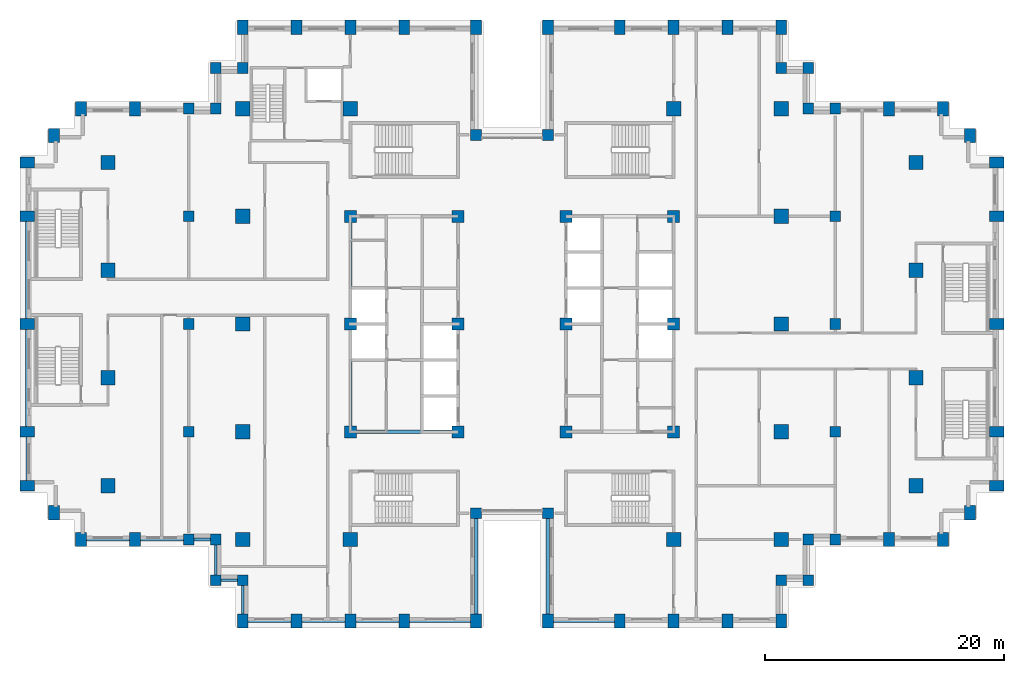
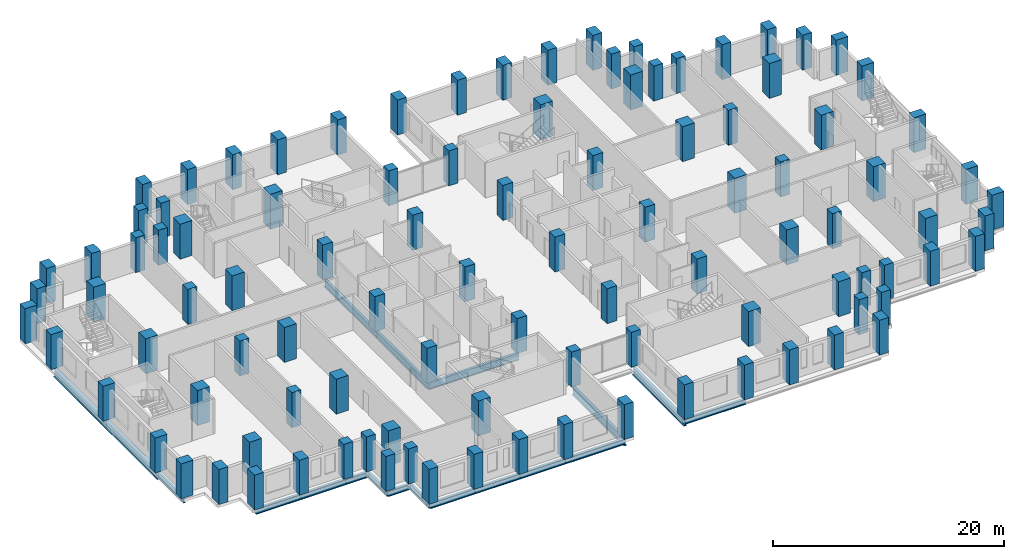
# One storey, part 1 of 16: 102 columns, 19 beams.
"""IFC4 building model written with IfcOpenShell, lengths in metres."""

from ifc_helpers import new_model, si_unit, direction, frame, origin, origin_2d, place, context, subcontext, project, spatial, rectangle, i_section, extrude, material, material_profile, profile_set, type_object, element, save


model = new_model("IFC4")

# Units and contexts
model_context = context("Model", 3, precision=1e-05, world=origin(), true_north=direction((0.0, 1.0)))
body_context = subcontext(model_context, "Body", "Model", "MODEL_VIEW")
ifc_project = project(units=[si_unit("LENGTHUNIT", "METRE"), si_unit("AREAUNIT", "SQUARE_METRE"), si_unit("VOLUMEUNIT", "CUBIC_METRE"), si_unit("PLANEANGLEUNIT", "RADIAN"), si_unit("MASSUNIT", "GRAM", prefix="KILO")], contexts=[model_context])

# Site, building, storey
site_placement = place(None, origin())
site = spatial("IfcSite", under=ifc_project, at=site_placement, CompositionType="ELEMENT")
building_placement = place(site_placement, origin())
building = spatial("IfcBuilding", under=site, at=building_placement, Name="Corbelhall Arena Tower", CompositionType="ELEMENT")
storey_placement = place(building_placement, frame((0.0, 0.0, 108.0)))
storey = spatial("IfcBuildingStorey", under=building, at=storey_placement, Name="L19", CompositionType="ELEMENT", Elevation=108.0)

# Columns
ifc_material_1 = material(Name="Concrete C80/95", Category="concrete")
ifc_material_profile_1 = material_profile(ifc_material_1, rectangle(XDim=1.0, YDim=1.0, at=origin_2d()))
ifc_profile_set_1 = profile_set([ifc_material_profile_1], Name="Concrete C80/95")
column_type_1 = type_object("IfcColumnType", Name="ST-COL-RC 1000x1000", PredefinedType="COLUMN", material=ifc_profile_set_1)
for number, where, z_axis, x_axis, name in (
    (1, (4.5, 0.0, 0.0), (0.0, 0.0, 1.0), (1.0, 0.0, 0.0), "Column KE+0450+0000"),
    (2, (4.5, 9.0, 0.0), (0.0, 0.0, 1.0), (1.0, 0.0, 0.0), "Column KE+0450+0900"),
    (3, (4.5, -9.0, 0.0), (0.0, 0.0, 1.0), (1.0, 0.0, 0.0), "Column KE+0450-0900"),
    (4, (13.5, 0.0, 0.0), (0.0, 0.0, 1.0), (1.0, 0.0, 0.0), "Column KE+1350+0000"),
    (5, (13.5, 9.0, 0.0), (0.0, 0.0, 1.0), (1.0, 0.0, 0.0), "Column KE+1350+0900"),
    (6, (13.5, -9.0, 0.0), (0.0, 0.0, 1.0), (1.0, 0.0, 0.0), "Column KE+1350-0900"),
    (7, (-4.5, 0.0, 0.0), (0.0, 0.0, 1.0), (1.0, 0.0, 0.0), "Column KW-0450+0000"),
    (8, (-4.5, 9.0, 0.0), (0.0, 0.0, 1.0), (1.0, 0.0, 0.0), "Column KW-0450+0900"),
    (9, (-4.5, -9.0, 0.0), (0.0, 0.0, 1.0), (1.0, 0.0, 0.0), "Column KW-0450-0900"),
    (10, (-13.5, 0.0, 0.0), (0.0, 0.0, 1.0), (1.0, 0.0, 0.0), "Column KW-1350+0000"),
    (11, (-13.5, 9.0, 0.0), (0.0, 0.0, 1.0), (1.0, 0.0, 0.0), "Column KW-1350+0900"),
    (12, (-13.5, -9.0, 0.0), (0.0, 0.0, 1.0), (1.0, 0.0, 0.0), "Column KW-1350-0900"),
):
    element("IfcColumn", number, at=place(storey_placement, frame(where, z_axis=z_axis, x_axis=x_axis)), inside=storey, type_object=column_type_1, Name=name, PredefinedType="COLUMN", context=body_context, shape_type="SweptSolid", body=[
        extrude(rectangle(XDim=1.0, YDim=1.0, at=origin_2d()), origin(), (0.0, 0.0, 1.0), 3.699951171875),
    ])
ifc_material_profile_2 = material_profile(ifc_material_1, rectangle(XDim=1.199951171875, YDim=1.199951171875, at=origin_2d()))
ifc_profile_set_2 = profile_set([ifc_material_profile_2], Name="Concrete C80/95")
column_type_2 = type_object("IfcColumnType", Name="ST-COL-RC 1200x1200", PredefinedType="COLUMN", material=ifc_profile_set_2)
for number, where, z_axis, x_axis, name in (
    (13, (-33.75, 4.5, 0.0), (0.0, 0.0, 1.0), (1.0, 0.0, 0.0), "Column FIC+0450"),
    (14, (-33.75, 13.5, 0.0), (0.0, 0.0, 1.0), (1.0, 0.0, 0.0), "Column FIC+1350"),
    (15, (-33.75, -4.5, 0.0), (0.0, 0.0, 1.0), (1.0, 0.0, 0.0), "Column FIC-0450"),
    (16, (-33.75, -13.5, 0.0), (0.0, 0.0, 1.0), (1.0, 0.0, 0.0), "Column FIC-1350"),
    (17, (33.75, 4.5, 0.0), (0.0, 0.0, 1.0), (1.0, 0.0, 0.0), "Column FID+0450"),
    (18, (33.75, 13.5, 0.0), (0.0, 0.0, 1.0), (1.0, 0.0, 0.0), "Column FID+1350"),
    (19, (33.75, -4.5, 0.0), (0.0, 0.0, 1.0), (1.0, 0.0, 0.0), "Column FID-0450"),
    (20, (33.75, -13.5, 0.0), (0.0, 0.0, 1.0), (1.0, 0.0, 0.0), "Column FID-1350"),
    (21, (13.5, 18.0, 0.0), (0.0, 0.0, 1.0), (1.0, 0.0, 0.0), "Column IE13+1800"),
    (22, (13.5, -18.0, 0.0), (0.0, 0.0, 1.0), (1.0, 0.0, 0.0), "Column IE13-1800"),
    (23, (22.5, 0.0, 0.0), (0.0, 0.0, 1.0), (1.0, 0.0, 0.0), "Column IE22+0000"),
    (24, (22.5, 9.0, 0.0), (0.0, 0.0, 1.0), (1.0, 0.0, 0.0), "Column IE22+0900"),
    (25, (22.5, 18.0, 0.0), (0.0, 0.0, 1.0), (1.0, 0.0, 0.0), "Column IE22+1800"),
    (26, (22.5, -9.0, 0.0), (0.0, 0.0, 1.0), (1.0, 0.0, 0.0), "Column IE22-0900"),
    (27, (22.5, -18.0, 0.0), (0.0, 0.0, 1.0), (1.0, 0.0, 0.0), "Column IE22-1800"),
    (28, (-13.5, 18.0, 0.0), (0.0, 0.0, 1.0), (1.0, 0.0, 0.0), "Column IW13+1800"),
    (29, (-13.5, -18.0, 0.0), (0.0, 0.0, 1.0), (1.0, 0.0, 0.0), "Column IW13-1800"),
    (30, (-22.5, 0.0, 0.0), (0.0, 0.0, 1.0), (1.0, 0.0, 0.0), "Column IW22+0000"),
    (31, (-22.5, 9.0, 0.0), (0.0, 0.0, 1.0), (1.0, 0.0, 0.0), "Column IW22+0900"),
    (32, (-22.5, 18.0, 0.0), (0.0, 0.0, 1.0), (1.0, 0.0, 0.0), "Column IW22+1800"),
    (33, (-22.5, -9.0, 0.0), (0.0, 0.0, 1.0), (1.0, 0.0, 0.0), "Column IW22-0900"),
    (34, (-22.5, -18.0, 0.0), (0.0, 0.0, 1.0), (1.0, 0.0, 0.0), "Column IW22-1800"),
):
    element("IfcColumn", number, at=place(storey_placement, frame(where, z_axis=z_axis, x_axis=x_axis)), inside=storey, type_object=column_type_2, Name=name, PredefinedType="COLUMN", context=body_context, shape_type="SweptSolid", body=[
        extrude(rectangle(XDim=1.199951171875, YDim=1.199951171875, at=origin_2d()), origin(), (0.0, 0.0, 1.0), 3.699951171875),
    ])
ifc_material_profile_3 = material_profile(ifc_material_1, rectangle(XDim=0.89990234375, YDim=1.199951171875, at=origin_2d()))
ifc_profile_set_3 = profile_set([ifc_material_profile_3], Name="Concrete C80/95")
column_type_3 = type_object("IfcColumnType", Name="ST-COL-RC 900x1200", PredefinedType="COLUMN", material=ifc_profile_set_3)
for number, where, z_axis, x_axis, name in (
    (35, (-40.5, 0.0, 0.0), (0.0, 0.0, 1.0), (0.0, 1.0, 0.0), "Column FC+0000"),
    (36, (-40.5, 9.0, 0.0), (0.0, 0.0, 1.0), (0.0, 1.0, 0.0), "Column FC+0900"),
    (37, (-40.5, 13.5, 0.0), (0.0, 0.0, 1.0), (0.0, 1.0, 0.0), "Column FC+1350"),
    (38, (-40.5, -9.0, 0.0), (0.0, 0.0, 1.0), (0.0, 1.0, 0.0), "Column FC-0900"),
    (39, (-40.5, -13.5, 0.0), (0.0, 0.0, 1.0), (0.0, 1.0, 0.0), "Column FC-1350"),
    (40, (-38.25, 15.75, 0.0), (0.0, 0.0, 1.0), (1.0, 0.0, 0.0), "Column FCCN"),
    (41, (-38.25, -15.75, 0.0), (0.0, 0.0, 1.0), (1.0, 0.0, 0.0), "Column FCCS"),
    (42, (-31.5, 18.0, 0.0), (0.0, 0.0, 1.0), (1.0, 0.0, 0.0), "Column FCN3150"),
    (43, (-36.0, 18.0, 0.0), (0.0, 0.0, 1.0), (1.0, 0.0, 0.0), "Column FCN3600"),
    (44, (-31.5, -18.0, 0.0), (0.0, 0.0, 1.0), (1.0, 0.0, 0.0), "Column FCS3150"),
    (45, (-36.0, -18.0, 0.0), (0.0, 0.0, 1.0), (1.0, 0.0, 0.0), "Column FCS3600"),
    (46, (40.5, 0.0, 0.0), (0.0, 0.0, 1.0), (0.0, 1.0, 0.0), "Column FD+0000"),
    (47, (40.5, 9.0, 0.0), (0.0, 0.0, 1.0), (0.0, 1.0, 0.0), "Column FD+0900"),
    (48, (40.5, 13.5, 0.0), (0.0, 0.0, 1.0), (0.0, 1.0, 0.0), "Column FD+1350"),
    (49, (40.5, -9.0, 0.0), (0.0, 0.0, 1.0), (0.0, 1.0, 0.0), "Column FD-0900"),
    (50, (40.5, -13.5, 0.0), (0.0, 0.0, 1.0), (0.0, 1.0, 0.0), "Column FD-1350"),
    (51, (38.25, 15.75, 0.0), (0.0, 0.0, 1.0), (1.0, 0.0, 0.0), "Column FDCN"),
    (52, (38.25, -15.75, 0.0), (0.0, 0.0, 1.0), (1.0, 0.0, 0.0), "Column FDCS"),
    (53, (31.5, 18.0, 0.0), (0.0, 0.0, 1.0), (1.0, 0.0, 0.0), "Column FDN3150"),
    (54, (36.0, 18.0, 0.0), (0.0, 0.0, 1.0), (1.0, 0.0, 0.0), "Column FDN3600"),
    (55, (31.5, -18.0, 0.0), (0.0, 0.0, 1.0), (1.0, 0.0, 0.0), "Column FDS3150"),
    (56, (36.0, -18.0, 0.0), (0.0, 0.0, 1.0), (1.0, 0.0, 0.0), "Column FDS3600"),
    (57, (3.0, 24.800048828125, 0.0), (0.0, 0.0, 1.0), (1.0, 0.0, 0.0), "Column PNE0300"),
    (58, (9.0, 24.800048828125, 0.0), (0.0, 0.0, 1.0), (1.0, 0.0, 0.0), "Column PNE0900"),
    (59, (13.5, 24.800048828125, 0.0), (0.0, 0.0, 1.0), (1.0, 0.0, 0.0), "Column PNE1350"),
    (60, (18.0, 24.800048828125, 0.0), (0.0, 0.0, 1.0), (1.0, 0.0, 0.0), "Column PNE1800"),
    (61, (22.5, 24.800048828125, 0.0), (0.0, 0.0, 1.0), (1.0, 0.0, 0.0), "Column PNE2250"),
    (62, (-3.0, 24.800048828125, 0.0), (0.0, 0.0, 1.0), (1.0, 0.0, 0.0), "Column PNW0300"),
    (63, (-9.0, 24.800048828125, 0.0), (0.0, 0.0, 1.0), (1.0, 0.0, 0.0), "Column PNW0900"),
    (64, (-13.5, 24.800048828125, 0.0), (0.0, 0.0, 1.0), (1.0, 0.0, 0.0), "Column PNW1350"),
    (65, (-18.0, 24.800048828125, 0.0), (0.0, 0.0, 1.0), (1.0, 0.0, 0.0), "Column PNW1800"),
    (66, (-22.5, 24.800048828125, 0.0), (0.0, 0.0, 1.0), (1.0, 0.0, 0.0), "Column PNW2250"),
    (67, (3.0, -24.800048828125, 0.0), (0.0, 0.0, 1.0), (1.0, 0.0, 0.0), "Column PSE0300"),
    (68, (9.0, -24.800048828125, 0.0), (0.0, 0.0, 1.0), (1.0, 0.0, 0.0), "Column PSE0900"),
    (69, (13.5, -24.800048828125, 0.0), (0.0, 0.0, 1.0), (1.0, 0.0, 0.0), "Column PSE1350"),
    (70, (18.0, -24.800048828125, 0.0), (0.0, 0.0, 1.0), (1.0, 0.0, 0.0), "Column PSE1800"),
    (71, (22.5, -24.800048828125, 0.0), (0.0, 0.0, 1.0), (1.0, 0.0, 0.0), "Column PSE2250"),
    (72, (-3.0, -24.800048828125, 0.0), (0.0, 0.0, 1.0), (1.0, 0.0, 0.0), "Column PSW0300"),
    (73, (-9.0, -24.800048828125, 0.0), (0.0, 0.0, 1.0), (1.0, 0.0, 0.0), "Column PSW0900"),
    (74, (-13.5, -24.800048828125, 0.0), (0.0, 0.0, 1.0), (1.0, 0.0, 0.0), "Column PSW1350"),
    (75, (-18.0, -24.800048828125, 0.0), (0.0, 0.0, 1.0), (1.0, 0.0, 0.0), "Column PSW1800"),
    (76, (-22.5, -24.800048828125, 0.0), (0.0, 0.0, 1.0), (1.0, 0.0, 0.0), "Column PSW2250"),
):
    element("IfcColumn", number, at=place(storey_placement, frame(where, z_axis=z_axis, x_axis=x_axis)), inside=storey, type_object=column_type_3, Name=name, PredefinedType="COLUMN", context=body_context, shape_type="SweptSolid", body=[
        extrude(rectangle(XDim=0.89990234375, YDim=1.199951171875, at=origin_2d()), origin(), (0.0, 0.0, 1.0), 3.699951171875),
    ])
ifc_material_profile_4 = material_profile(ifc_material_1, rectangle(XDim=0.89990234375, YDim=0.89990234375, at=origin_2d()))
ifc_profile_set_4 = profile_set([ifc_material_profile_4], Name="Concrete C80/95")
column_type_4 = type_object("IfcColumnType", Name="ST-COL-RC 900x900", PredefinedType="COLUMN", material=ifc_profile_set_4)
for number, where, z_axis, x_axis, name in (
    (77, (27.0, 0.0, 0.0), (0.0, 0.0, 1.0), (1.0, 0.0, 0.0), "Column PE+0000"),
    (78, (27.0, 9.0, 0.0), (0.0, 0.0, 1.0), (1.0, 0.0, 0.0), "Column PE+0900"),
    (79, (27.0, 18.0, 0.0), (0.0, 0.0, 1.0), (1.0, 0.0, 0.0), "Column PE+1800"),
    (80, (27.0, -9.0, 0.0), (0.0, 0.0, 1.0), (1.0, 0.0, 0.0), "Column PE-0900"),
    (81, (27.0, -18.0, 0.0), (0.0, 0.0, 1.0), (1.0, 0.0, 0.0), "Column PE-1800"),
    (82, (-27.0, 0.0, 0.0), (0.0, 0.0, 1.0), (1.0, 0.0, 0.0), "Column PW+0000"),
    (83, (-27.0, 9.0, 0.0), (0.0, 0.0, 1.0), (1.0, 0.0, 0.0), "Column PW+0900"),
    (84, (-27.0, 18.0, 0.0), (0.0, 0.0, 1.0), (1.0, 0.0, 0.0), "Column PW+1800"),
    (85, (-27.0, -9.0, 0.0), (0.0, 0.0, 1.0), (1.0, 0.0, 0.0), "Column PW-0900"),
    (86, (-27.0, -18.0, 0.0), (0.0, 0.0, 1.0), (1.0, 0.0, 0.0), "Column PW-1800"),
    (87, (3.0, 15.800048828125, 0.0), (0.0, 0.0, 1.0), (1.0, 0.0, 0.0), "Column SLNE2"),
    (88, (-3.0, 15.800048828125, 0.0), (0.0, 0.0, 1.0), (1.0, 0.0, 0.0), "Column SLNW2"),
    (89, (3.0, -15.800048828125, 0.0), (0.0, 0.0, 1.0), (1.0, 0.0, 0.0), "Column SLSE2"),
    (90, (-3.0, -15.800048828125, 0.0), (0.0, 0.0, 1.0), (1.0, 0.0, 0.0), "Column SLSW2"),
    (91, (22.5, 21.39990234375, 0.0), (0.0, 0.0, 1.0), (1.0, 0.0, 0.0), "Column XNE1"),
    (92, (24.75, 21.39990234375, 0.0), (0.0, 0.0, 1.0), (1.0, 0.0, 0.0), "Column XNE2"),
    (93, (24.75, 18.0, 0.0), (0.0, 0.0, 1.0), (1.0, 0.0, 0.0), "Column XNE3"),
    (94, (-22.5, 21.39990234375, 0.0), (0.0, 0.0, 1.0), (1.0, 0.0, 0.0), "Column XNW1"),
    (95, (-24.75, 21.39990234375, 0.0), (0.0, 0.0, 1.0), (1.0, 0.0, 0.0), "Column XNW2"),
    (96, (-24.75, 18.0, 0.0), (0.0, 0.0, 1.0), (1.0, 0.0, 0.0), "Column XNW3"),
    (97, (22.5, -21.39990234375, 0.0), (0.0, 0.0, 1.0), (1.0, 0.0, 0.0), "Column XSE1"),
    (98, (24.75, -21.39990234375, 0.0), (0.0, 0.0, 1.0), (1.0, 0.0, 0.0), "Column XSE2"),
    (99, (24.75, -18.0, 0.0), (0.0, 0.0, 1.0), (1.0, 0.0, 0.0), "Column XSE3"),
    (100, (-22.5, -21.39990234375, 0.0), (0.0, 0.0, 1.0), (1.0, 0.0, 0.0), "Column XSW1"),
    (101, (-24.75, -21.39990234375, 0.0), (0.0, 0.0, 1.0), (1.0, 0.0, 0.0), "Column XSW2"),
    (102, (-24.75, -18.0, 0.0), (0.0, 0.0, 1.0), (1.0, 0.0, 0.0), "Column XSW3"),
):
    element("IfcColumn", number, at=place(storey_placement, frame(where, z_axis=z_axis, x_axis=x_axis)), inside=storey, type_object=column_type_4, Name=name, PredefinedType="COLUMN", context=body_context, shape_type="SweptSolid", body=[
        extrude(rectangle(XDim=0.89990234375, YDim=0.89990234375, at=origin_2d()), origin(), (0.0, 0.0, 1.0), 3.699951171875),
    ])

# Beams
ifc_material_2 = material(Name="Steel ASTM A992 Gr50", Category="steel")
ifc_material_profile_5 = material_profile(ifc_material_2, i_section(OverallWidth=0.2666015625, OverallDepth=0.761962890625, WebThickness=0.014404296875, FlangeThickness=0.021484375, at=origin_2d()))
ifc_profile_set_5 = profile_set([ifc_material_profile_5], Name="Steel ASTM A992 Gr50")
beam_type_1 = type_object("IfcBeamType", Name="ST-BEAM-W30x116", PredefinedType="BEAM", material=ifc_profile_set_5)
for number, where, z_axis, x_axis, name in (
    (103, (-13.5, -9.0, -0.680908203125), (0.0, 1.0, 0.0), (-1.0, 0.0, 0.0), "Beam CEW 1"),
    (104, (-13.5, 0.0, -0.680908203125), (0.0, 1.0, 0.0), (-1.0, 0.0, 0.0), "Beam CEW 2"),
    (105, (-13.5, -9.0, -0.680908203125), (1.0, 0.0, 0.0), (0.0, 1.0, 0.0), "Beam CEW 5"),
):
    element("IfcBeam", number, at=place(storey_placement, frame(where, z_axis=z_axis, x_axis=x_axis)), inside=storey, type_object=beam_type_1, Name=name, PredefinedType="BEAM", context=body_context, shape_type="SweptSolid", body=[
        extrude(i_section(OverallWidth=0.2666015625, OverallDepth=0.761962890625, WebThickness=0.014404296875, FlangeThickness=0.021484375, at=origin_2d()), origin(), (0.0, 0.0, 1.0), 9.0),
    ])
ifc_material_profile_6 = material_profile(ifc_material_2, i_section(OverallWidth=0.23046875, OverallDepth=0.6171875, WebThickness=0.01318359375, FlangeThickness=0.022216796875, at=origin_2d()))
ifc_profile_set_6 = profile_set([ifc_material_profile_6], Name="Steel ASTM A992 Gr50")
beam_type_2 = type_object("IfcBeamType", Name="ST-SPANDREL-W24x94", PredefinedType="SPANDREL", material=ifc_profile_set_6)
for number, where, z_axis, x_axis, name in (
    (106, (-40.5, -13.5, -0.608642578125), (0.0, 1.0, 0.0), (-1.0, 0.0, 0.0), "Beam SP 4"),
    (107, (-31.5, -18.0, -0.608642578125), (-1.0, 0.0, 0.0), (0.0, -1.0, 0.0), "Beam SP 7"),
):
    element("IfcBeam", number, at=place(storey_placement, frame(where, z_axis=z_axis, x_axis=x_axis)), inside=storey, type_object=beam_type_2, Name=name, PredefinedType="SPANDREL", context=body_context, shape_type="SweptSolid", body=[
        extrude(i_section(OverallWidth=0.23046875, OverallDepth=0.6171875, WebThickness=0.01318359375, FlangeThickness=0.022216796875, at=origin_2d()), origin(), (0.0, 0.0, 1.0), 4.5),
    ])
for number, where, z_axis, x_axis, name in (
    (108, (9.0, -24.800048828125, -0.608642578125), (-1.0, 0.0, 0.0), (0.0, -1.0, 0.0), "Beam SP 28"),
    (109, (-3.0, -24.800048828125, -0.608642578125), (-1.0, 0.0, 0.0), (0.0, -1.0, 0.0), "Beam SP 32"),
):
    element("IfcBeam", number, at=place(storey_placement, frame(where, z_axis=z_axis, x_axis=x_axis)), inside=storey, type_object=beam_type_2, Name=name, PredefinedType="SPANDREL", context=body_context, shape_type="SweptSolid", body=[
        extrude(i_section(OverallWidth=0.23046875, OverallDepth=0.6171875, WebThickness=0.01318359375, FlangeThickness=0.022216796875, at=origin_2d()), origin(), (0.0, 0.0, 1.0), 6.0),
    ])
for number, where, z_axis, x_axis, name in (
    (110, (-9.0, -24.800048828125, -0.608642578125), (-1.0, 0.0, 0.0), (0.0, -1.0, 0.0), "Beam SP 33"),
    (111, (-13.5, -24.800048828125, -0.608642578125), (-1.0, 0.0, 0.0), (0.0, -1.0, 0.0), "Beam SP 34"),
    (112, (-18.0, -24.800048828125, -0.608642578125), (-1.0, 0.0, 0.0), (0.0, -1.0, 0.0), "Beam SP 35"),
):
    element("IfcBeam", number, at=place(storey_placement, frame(where, z_axis=z_axis, x_axis=x_axis)), inside=storey, type_object=beam_type_2, Name=name, PredefinedType="SPANDREL", context=body_context, shape_type="SweptSolid", body=[
        extrude(i_section(OverallWidth=0.23046875, OverallDepth=0.6171875, WebThickness=0.01318359375, FlangeThickness=0.022216796875, at=origin_2d()), origin(), (0.0, 0.0, 1.0), 4.5),
    ])
beam_1_placement = place(storey_placement, frame((-22.5, -24.800048828125, -0.608642578125), z_axis=(0.0, 1.0, 0.0), x_axis=(-1.0, 0.0, 0.0)))
element("IfcBeam", 113, at=beam_1_placement, inside=storey, type_object=beam_type_2, Name="Beam SP 36", PredefinedType="SPANDREL", context=body_context, shape_type="SweptSolid", body=[
    extrude(i_section(OverallWidth=0.23046875, OverallDepth=0.6171875, WebThickness=0.01318359375, FlangeThickness=0.022216796875, at=origin_2d()), origin(), (0.0, 0.0, 1.0), 3.400146484375),
])
beam_2_placement = place(storey_placement, frame((-27.0, -18.0, -0.608642578125), z_axis=(-1.0, 0.0, 0.0), x_axis=(0.0, -1.0, 0.0)))
element("IfcBeam", 114, at=beam_2_placement, inside=storey, type_object=beam_type_2, Name="Beam SP 38", PredefinedType="SPANDREL", context=body_context, shape_type="SweptSolid", body=[
    extrude(i_section(OverallWidth=0.23046875, OverallDepth=0.6171875, WebThickness=0.01318359375, FlangeThickness=0.022216796875, at=origin_2d()), origin(), (0.0, 0.0, 1.0), 4.5),
])
beam_3_placement = place(storey_placement, frame((-22.5, -21.39990234375, -0.608642578125), z_axis=(-1.0, 0.0, 0.0), x_axis=(0.0, -1.0, 0.0)))
element("IfcBeam", 115, at=beam_3_placement, inside=storey, type_object=beam_type_2, Name="Beam SP 52", PredefinedType="SPANDREL", context=body_context, shape_type="SweptSolid", body=[
    extrude(i_section(OverallWidth=0.23046875, OverallDepth=0.6171875, WebThickness=0.01318359375, FlangeThickness=0.022216796875, at=origin_2d()), origin(), (0.0, 0.0, 1.0), 2.25),
])
beam_4_placement = place(storey_placement, frame((-24.75, -21.39990234375, -0.608642578125), z_axis=(0.0, 1.0, 0.0), x_axis=(-1.0, 0.0, 0.0)))
element("IfcBeam", 116, at=beam_4_placement, inside=storey, type_object=beam_type_2, Name="Beam SP 53", PredefinedType="SPANDREL", context=body_context, shape_type="SweptSolid", body=[
    extrude(i_section(OverallWidth=0.23046875, OverallDepth=0.6171875, WebThickness=0.01318359375, FlangeThickness=0.022216796875, at=origin_2d()), origin(), (0.0, 0.0, 1.0), 3.39990234375),
])
beam_5_placement = place(storey_placement, frame((-24.75, -18.0, -0.608642578125), z_axis=(-1.0, 0.0, 0.0), x_axis=(0.0, -1.0, 0.0)))
element("IfcBeam", 117, at=beam_5_placement, inside=storey, type_object=beam_type_2, Name="Beam SP 54", PredefinedType="SPANDREL", context=body_context, shape_type="SweptSolid", body=[
    extrude(i_section(OverallWidth=0.23046875, OverallDepth=0.6171875, WebThickness=0.01318359375, FlangeThickness=0.022216796875, at=origin_2d()), origin(), (0.0, 0.0, 1.0), 2.25),
])
ifc_material_profile_7 = material_profile(ifc_material_2, i_section(OverallWidth=0.2919921875, OverallDepth=0.845703125, WebThickness=0.015380859375, FlangeThickness=0.0244140625, at=origin_2d()))
ifc_profile_set_7 = profile_set([ifc_material_profile_7], Name="Steel ASTM A992 Gr50")
beam_type_3 = type_object("IfcBeamType", Name="ST-SPANDREL-W33x141", PredefinedType="SPANDREL", material=ifc_profile_set_7)
for number, where, z_axis, x_axis, name in (
    (118, (-40.5, 0.0, -0.722900390625), (0.0, 1.0, 0.0), (-1.0, 0.0, 0.0), "Beam SP 1"),
    (119, (-40.5, -9.0, -0.722900390625), (0.0, 1.0, 0.0), (-1.0, 0.0, 0.0), "Beam SP 3"),
    (120, (3.0, -24.800048828125, -0.722900390625), (0.0, 1.0, 0.0), (-1.0, 0.0, 0.0), "Beam SP 27"),
    (121, (-3.0, -15.800048828125, -0.722900390625), (0.0, -1.0, 0.0), (1.0, 0.0, 0.0), "Beam SP 42"),
):
    element("IfcBeam", number, at=place(storey_placement, frame(where, z_axis=z_axis, x_axis=x_axis)), inside=storey, type_object=beam_type_3, Name=name, PredefinedType="SPANDREL", context=body_context, shape_type="SweptSolid", body=[
        extrude(i_section(OverallWidth=0.2919921875, OverallDepth=0.845703125, WebThickness=0.015380859375, FlangeThickness=0.0244140625, at=origin_2d()), origin(), (0.0, 0.0, 1.0), 9.0),
    ])

save(model, "model.ifc")
